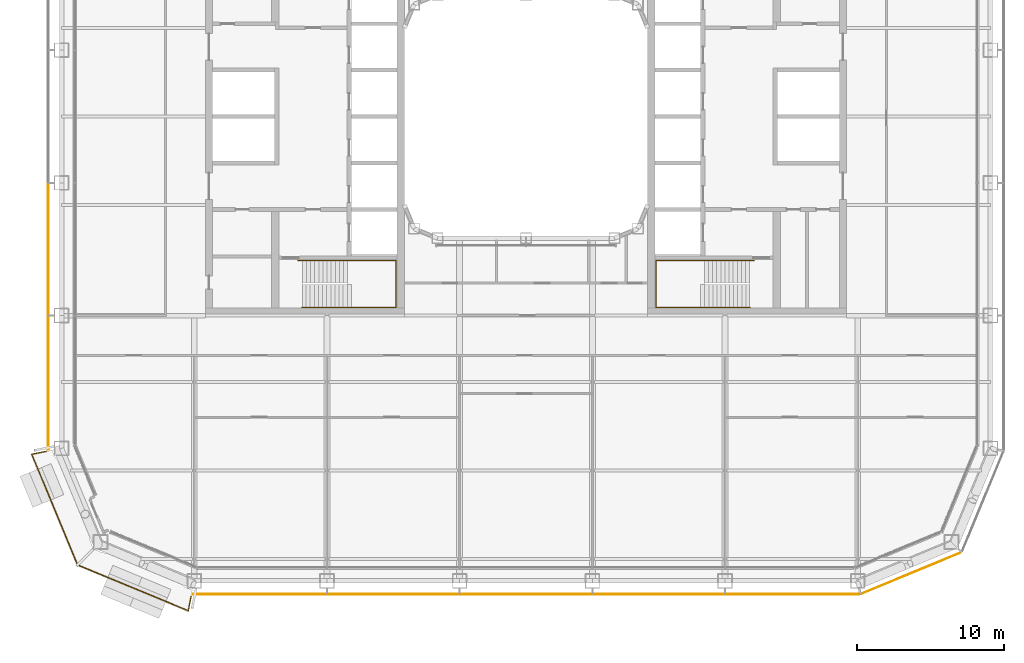
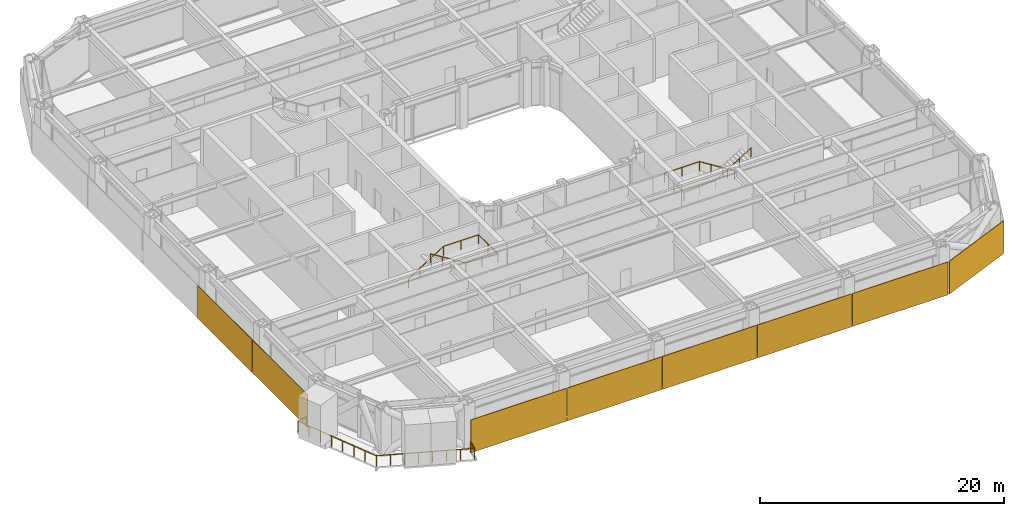
# One storey, part 23 of 27: 8 coverings, 3 railings.
"""IFC4 building model written with IfcOpenShell, lengths in metres."""

from ifc_helpers import new_model, si_unit, direction, frame, origin, origin_2d, place, context, subcontext, project, spatial, rectangle, circle, extrude, material, layer, layer_set, type_object, element, save


model = new_model("IFC4")

# Units and contexts
model_context = context("Model", 3, precision=1e-05, world=origin(), true_north=direction((0.0, 1.0)))
body_context = subcontext(model_context, "Body", "Model", "MODEL_VIEW")
ifc_project = project(units=[si_unit("LENGTHUNIT", "METRE"), si_unit("AREAUNIT", "SQUARE_METRE"), si_unit("VOLUMEUNIT", "CUBIC_METRE"), si_unit("PLANEANGLEUNIT", "RADIAN"), si_unit("MASSUNIT", "GRAM", prefix="KILO")], contexts=[model_context])

# Site, building, storey
site_placement = place(None, origin())
site = spatial("IfcSite", under=ifc_project, at=site_placement, CompositionType="ELEMENT")
building_placement = place(site_placement, origin())
building = spatial("IfcBuilding", under=site, at=building_placement, Name="Siwar Civic Tower", CompositionType="ELEMENT")
storey_placement = place(building_placement, frame((0.0, 0.0, 71.699951171875)))
storey = spatial("IfcBuildingStorey", under=building, at=storey_placement, Name="L15", CompositionType="ELEMENT", Elevation=71.699951171875)

# Railings
ifc_material_1 = material(Name="Stainless steel", Category="steel")
railing_type_1 = type_object("IfcRailingType", Name="CORE-STAIR-HANDRAIL", PredefinedType="HANDRAIL", material=ifc_material_1)
railing_1_placement = place(storey_placement, frame((-15.449951171875, -9.758056640625, 0.173095703125)))
element("IfcRailing", 1, at=railing_1_placement, inside=storey, type_object=railing_type_1, Name="Stair handrail ST2", PredefinedType="HANDRAIL", context=body_context, shape_type="SweptSolid", body=[
    extrude(circle(Radius=0.02001953125, at=origin_2d()), frame((0.0, 0.0, 0.8798828125), z_axis=(0.847063342986, 0.0, 0.531491950051), x_axis=(0.0, 1.0, 0.0)), (0.0, 0.0, 1.0), 3.90771484375),
    extrude(circle(Radius=0.02001953125, at=origin_2d()), frame((3.31005859375, 0.0, 2.956787109375), z_axis=(1.0, 0.0, 0.0), x_axis=(0.0, 1.0, 0.0)), (0.0, 0.0, 1.0), 3.331787109375),
    extrude(circle(Radius=0.02001953125, at=origin_2d()), frame((6.641845703125, 0.0, 2.956787109375), z_axis=(0.0, -1.0, 0.0), x_axis=(1.0, 0.0, 0.0)), (0.0, 0.0, 1.0), 3.183837890625),
    extrude(circle(Radius=0.02001953125, at=origin_2d()), frame((6.641845703125, -3.183837890625, 2.956787109375), z_axis=(-0.99837434197, 0.0, 0.056997134106), x_axis=(0.0, -1.0, 0.0)), (0.0, 0.0, 1.0), 3.036865234375),
    extrude(circle(Radius=0.02001953125, at=origin_2d()), frame((3.60986328125, -3.183837890625, 3.1298828125), z_axis=(-0.850606129759, 0.0, 0.525803396734), x_axis=(0.0, -1.0, 0.0)), (0.0, 0.0, 1.0), 3.949951171875),
    extrude(circle(Radius=0.02001953125, at=origin_2d()), origin(), (0.0, 0.0, 1.0), 0.85986328125),
    extrude(circle(Radius=0.02001953125, at=origin_2d()), frame((1.103271484375, 0.0, 0.6923828125)), (0.0, 0.0, 1.0), 0.85986328125),
    extrude(circle(Radius=0.02001953125, at=origin_2d()), frame((2.206787109375, 0.0, 1.384521484375)), (0.0, 0.0, 1.0), 0.85986328125),
    extrude(circle(Radius=0.02001953125, at=origin_2d()), frame((3.31005859375, 0.0, 2.076904296875)), (0.0, 0.0, 1.0), 0.85986328125),
    extrude(circle(Radius=0.02001953125, at=origin_2d()), frame((4.97607421875, 0.0, 2.076904296875)), (0.0, 0.0, 1.0), 0.85986328125),
    extrude(circle(Radius=0.02001953125, at=origin_2d()), frame((6.641845703125, 0.0, 2.076904296875)), (0.0, 0.0, 1.0), 0.85986328125),
    extrude(circle(Radius=0.02001953125, at=origin_2d()), frame((6.641845703125, -1.591796875, 2.076904296875)), (0.0, 0.0, 1.0), 0.85986328125),
    extrude(circle(Radius=0.02001953125, at=origin_2d()), frame((6.641845703125, -3.183837890625, 2.076904296875)), (0.0, 0.0, 1.0), 0.85986328125),
    extrude(circle(Radius=0.02001953125, at=origin_2d()), frame((5.1259765625, -3.183837890625, 2.16357421875)), (0.0, 0.0, 1.0), 0.85986328125),
    extrude(circle(Radius=0.02001953125, at=origin_2d()), frame((3.60986328125, -3.183837890625, 2.25)), (0.0, 0.0, 1.0), 0.85986328125),
    extrude(circle(Radius=0.02001953125, at=origin_2d()), frame((2.489990234375, -3.183837890625, 2.9423828125)), (0.0, 0.0, 1.0), 0.85986328125),
    extrude(circle(Radius=0.02001953125, at=origin_2d()), frame((1.369873046875, -3.183837890625, 3.634521484375)), (0.0, 0.0, 1.0), 0.85986328125),
    extrude(circle(Radius=0.02001953125, at=origin_2d()), frame((0.25, -3.183837890625, 4.326904296875)), (0.0, 0.0, 1.0), 0.85986328125),
])
railing_2_placement = place(storey_placement, frame((15.449951171875, -9.758056640625, 0.173095703125)))
element("IfcRailing", 2, at=railing_2_placement, inside=storey, type_object=railing_type_1, Name="Stair handrail ST4", PredefinedType="HANDRAIL", context=body_context, shape_type="SweptSolid", body=[
    extrude(circle(Radius=0.02001953125, at=origin_2d()), frame((0.0, 0.0, 0.8798828125), z_axis=(-0.847063342986, 0.0, 0.531491950051), x_axis=(0.0, -1.0, 0.0)), (0.0, 0.0, 1.0), 3.90771484375),
    extrude(circle(Radius=0.02001953125, at=origin_2d()), frame((-3.31005859375, 0.0, 2.956787109375), z_axis=(-1.0, 0.0, 0.0), x_axis=(0.0, -1.0, 0.0)), (0.0, 0.0, 1.0), 3.331787109375),
    extrude(circle(Radius=0.02001953125, at=origin_2d()), frame((-6.641845703125, 0.0, 2.956787109375), z_axis=(0.0, -1.0, 0.0), x_axis=(1.0, 0.0, 0.0)), (0.0, 0.0, 1.0), 3.183837890625),
    extrude(circle(Radius=0.02001953125, at=origin_2d()), frame((-6.641845703125, -3.183837890625, 2.956787109375), z_axis=(0.99837434197, 0.0, 0.056997134106), x_axis=(0.0, 1.0, 0.0)), (0.0, 0.0, 1.0), 3.036865234375),
    extrude(circle(Radius=0.02001953125, at=origin_2d()), frame((-3.60986328125, -3.183837890625, 3.1298828125), z_axis=(0.850606129759, 0.0, 0.525803396734), x_axis=(0.0, 1.0, 0.0)), (0.0, 0.0, 1.0), 3.949951171875),
    extrude(circle(Radius=0.02001953125, at=origin_2d()), origin(), (0.0, 0.0, 1.0), 0.85986328125),
    extrude(circle(Radius=0.02001953125, at=origin_2d()), frame((-1.103271484375, 0.0, 0.6923828125)), (0.0, 0.0, 1.0), 0.85986328125),
    extrude(circle(Radius=0.02001953125, at=origin_2d()), frame((-2.206787109375, 0.0, 1.384521484375)), (0.0, 0.0, 1.0), 0.85986328125),
    extrude(circle(Radius=0.02001953125, at=origin_2d()), frame((-3.31005859375, 0.0, 2.076904296875)), (0.0, 0.0, 1.0), 0.85986328125),
    extrude(circle(Radius=0.02001953125, at=origin_2d()), frame((-4.97607421875, 0.0, 2.076904296875)), (0.0, 0.0, 1.0), 0.85986328125),
    extrude(circle(Radius=0.02001953125, at=origin_2d()), frame((-6.641845703125, 0.0, 2.076904296875)), (0.0, 0.0, 1.0), 0.85986328125),
    extrude(circle(Radius=0.02001953125, at=origin_2d()), frame((-6.641845703125, -1.591796875, 2.076904296875)), (0.0, 0.0, 1.0), 0.85986328125),
    extrude(circle(Radius=0.02001953125, at=origin_2d()), frame((-6.641845703125, -3.183837890625, 2.076904296875)), (0.0, 0.0, 1.0), 0.85986328125),
    extrude(circle(Radius=0.02001953125, at=origin_2d()), frame((-5.1259765625, -3.183837890625, 2.16357421875)), (0.0, 0.0, 1.0), 0.85986328125),
    extrude(circle(Radius=0.02001953125, at=origin_2d()), frame((-3.60986328125, -3.183837890625, 2.25)), (0.0, 0.0, 1.0), 0.85986328125),
    extrude(circle(Radius=0.02001953125, at=origin_2d()), frame((-2.489990234375, -3.183837890625, 2.9423828125)), (0.0, 0.0, 1.0), 0.85986328125),
    extrude(circle(Radius=0.02001953125, at=origin_2d()), frame((-1.369873046875, -3.183837890625, 3.634521484375)), (0.0, 0.0, 1.0), 0.85986328125),
    extrude(circle(Radius=0.02001953125, at=origin_2d()), frame((-0.25, -3.183837890625, 4.326904296875)), (0.0, 0.0, 1.0), 0.85986328125),
])
ifc_material_2 = material(Name="Stainless steel 316", Category="steel")
railing_type_2 = type_object("IfcRailingType", Name="ENV-GUARD", PredefinedType="GUARDRAIL", material=ifc_material_2)
railing_3_placement = place(storey_placement, frame((-32.547119140625, -22.708251953125, 0.0)))
element("IfcRailing", 3, at=railing_3_placement, inside=storey, type_object=railing_type_2, Name="Balcony guard SW", PredefinedType="GUARDRAIL", context=body_context, shape_type="SweptSolid", body=[
    extrude(circle(Radius=0.02392578125, at=origin_2d()), frame((0.0, 0.0, 1.076171875), z_axis=(-0.980778661911, -0.195123592472, 0.0), x_axis=(0.195123592472, -0.980778661911, 0.0)), (0.0, 0.0, 1.0), 0.993408203125),
    extrude(circle(Radius=0.02392578125, at=origin_2d()), frame((-0.974365234375, -0.19384765625, 1.076171875), z_axis=(0.382176720888, -0.924089256518, 0.0), x_axis=(0.924089256518, 0.382176720888, 0.0)), (0.0, 0.0, 1.0), 8.129638671875),
    extrude(circle(Radius=0.02392578125, at=origin_2d()), frame((2.132568359375, -7.706298828125, 1.076171875), z_axis=(0.924089256518, -0.382176720888, 0.0), x_axis=(0.382176720888, 0.924089256518, 0.0)), (0.0, 0.0, 1.0), 8.129638671875),
    extrude(circle(Radius=0.02392578125, at=origin_2d()), frame((9.64501953125, -10.813232421875, 1.076171875), z_axis=(0.195123592472, 0.980778661911, 0.0), x_axis=(-0.980778661911, 0.195123592472, 0.0)), (0.0, 0.0, 1.0), 0.993408203125),
    extrude(circle(Radius=0.02099609375, at=origin_2d()), origin(), (0.0, 0.0, 1.0), 1.052001953125),
    extrude(circle(Radius=0.02099609375, at=origin_2d()), frame((-0.974365234375, -0.19384765625, 0.0)), (0.0, 0.0, 1.0), 1.052001953125),
    extrude(circle(Radius=0.02099609375, at=origin_2d()), frame((-0.530517578125, -1.26708984375, 0.0)), (0.0, 0.0, 1.0), 1.052001953125),
    extrude(circle(Radius=0.02099609375, at=origin_2d()), frame((-0.086669921875, -2.34033203125, 0.0)), (0.0, 0.0, 1.0), 1.052001953125),
    extrude(circle(Radius=0.02099609375, at=origin_2d()), frame((0.357177734375, -3.41357421875, 0.0)), (0.0, 0.0, 1.0), 1.052001953125),
    extrude(circle(Radius=0.02099609375, at=origin_2d()), frame((0.801025390625, -4.486572265625, 0.0)), (0.0, 0.0, 1.0), 1.052001953125),
    extrude(circle(Radius=0.02099609375, at=origin_2d()), frame((1.244873046875, -5.559814453125, 0.0)), (0.0, 0.0, 1.0), 1.052001953125),
    extrude(circle(Radius=0.02099609375, at=origin_2d()), frame((1.688720703125, -6.633056640625, 0.0)), (0.0, 0.0, 1.0), 1.052001953125),
    extrude(circle(Radius=0.02099609375, at=origin_2d()), frame((2.132568359375, -7.706298828125, 0.0)), (0.0, 0.0, 1.0), 1.052001953125),
    extrude(circle(Radius=0.02099609375, at=origin_2d()), frame((3.205810546875, -8.150146484375, 0.0)), (0.0, 0.0, 1.0), 1.052001953125),
    extrude(circle(Radius=0.02099609375, at=origin_2d()), frame((4.279052734375, -8.593994140625, 0.0)), (0.0, 0.0, 1.0), 1.052001953125),
    extrude(circle(Radius=0.02099609375, at=origin_2d()), frame((5.352294921875, -9.037841796875, 0.0)), (0.0, 0.0, 1.0), 1.052001953125),
    extrude(circle(Radius=0.02099609375, at=origin_2d()), frame((6.42529296875, -9.481689453125, 0.0)), (0.0, 0.0, 1.0), 1.052001953125),
    extrude(circle(Radius=0.02099609375, at=origin_2d()), frame((7.49853515625, -9.925537109375, 0.0)), (0.0, 0.0, 1.0), 1.052001953125),
    extrude(circle(Radius=0.02099609375, at=origin_2d()), frame((8.57177734375, -10.369384765625, 0.0)), (0.0, 0.0, 1.0), 1.052001953125),
    extrude(circle(Radius=0.02099609375, at=origin_2d()), frame((9.64501953125, -10.813232421875, 0.0)), (0.0, 0.0, 1.0), 1.052001953125),
    extrude(circle(Radius=0.02099609375, at=origin_2d()), frame((9.8388671875, -9.8388671875, 0.0)), (0.0, 0.0, 1.0), 1.052001953125),
])

# Coverings
ifc_material_3 = material(Name="Perforated aluminium cassette, pale metal", Category="aluminium")
ifc_layer_1 = layer(ifc_material_3, 0.050048828125)
ifc_layer_set_1 = layer_set([ifc_layer_1], Name="Perforated aluminium cassette, pale metal")
covering_type_1 = type_object("IfcCoveringType", Name="ENV-OUTER SKIN OS-3", PredefinedType="CLADDING", material=ifc_layer_set_1)
covering_1_placement = place(storey_placement, frame((26.115966796875, -30.976318359375, -0.14990234375), z_axis=(0.0, 0.0, 1.0), x_axis=(0.923879532511, 0.382683432365, 0.0)))
element("IfcCovering", 4, at=covering_1_placement, inside=storey, type_object=covering_type_1, Name="OUTER SKIN OS-3 SE1 1", PredefinedType="CLADDING", context=body_context, shape_type="SweptSolid", body=[
    extrude(rectangle(XDim=7.300048828125, YDim=0.050048828125, at=origin_2d()), origin(), (0.0, 0.0, 1.0), 3.300048828125),
])
covering_2_placement = place(storey_placement, frame((-32.39990234375, -9.0, -0.14990234375), z_axis=(0.0, 0.0, 1.0), x_axis=(0.0, -1.0, 0.0)))
element("IfcCovering", 5, at=covering_2_placement, inside=storey, type_object=covering_type_1, Name="OUTER SKIN OS-3 W 4", PredefinedType="CLADDING", context=body_context, shape_type="SweptSolid", body=[
    extrude(rectangle(XDim=8.89990234375, YDim=0.050048828125, at=origin_2d()), origin(), (0.0, 0.0, 1.0), 3.300048828125),
])
covering_3_placement = place(storey_placement, frame((-32.39990234375, -18.07958984375, -0.14990234375), z_axis=(0.0, 0.0, 1.0), x_axis=(0.0, -1.0, 0.0)))
element("IfcCovering", 6, at=covering_3_placement, inside=storey, type_object=covering_type_1, Name="OUTER SKIN OS-3 W 5", PredefinedType="CLADDING", context=body_context, shape_type="SweptSolid", body=[
    extrude(rectangle(XDim=9.05908203125, YDim=0.050048828125, at=origin_2d()), origin(), (0.0, 0.0, 1.0), 3.300048828125),
])
ifc_material_4 = material(Name="Perforated aluminium cassette, pale metal", Category="aluminium")
ifc_layer_2 = layer(ifc_material_4, 0.054931640625)
ifc_layer_set_2 = layer_set([ifc_layer_2], Name="Perforated aluminium cassette, pale metal")
covering_type_2 = type_object("IfcCoveringType", Name="ENV-OUTER SKIN OS-4", PredefinedType="CLADDING", material=ifc_layer_set_2)
covering_4_placement = place(storey_placement, frame((-18.07958984375, -32.39990234375, -0.14990234375), z_axis=(0.0, 0.0, 1.0), x_axis=(1.0, 0.0, 0.0)))
element("IfcCovering", 7, at=covering_4_placement, inside=storey, type_object=covering_type_2, Name="OUTER SKIN OS-4 S 1", PredefinedType="CLADDING", context=body_context, shape_type="SweptSolid", body=[
    extrude(rectangle(XDim=9.05908203125, YDim=0.054931640625, at=origin_2d()), origin(), (0.0, 0.0, 1.0), 3.300048828125),
])
for number, where, z_axis, x_axis, name in (
    (8, (-9.0, -32.39990234375, -0.14990234375), (0.0, 0.0, 1.0), (1.0, 0.0, 0.0), "OUTER SKIN OS-4 S 2"),
    (9, (0.0, -32.39990234375, -0.14990234375), (0.0, 0.0, 1.0), (1.0, 0.0, 0.0), "OUTER SKIN OS-4 S 3"),
    (10, (9.0, -32.39990234375, -0.14990234375), (0.0, 0.0, 1.0), (1.0, 0.0, 0.0), "OUTER SKIN OS-4 S 4"),
):
    element("IfcCovering", number, at=place(storey_placement, frame(where, z_axis=z_axis, x_axis=x_axis)), inside=storey, type_object=covering_type_2, Name=name, PredefinedType="CLADDING", context=body_context, shape_type="SweptSolid", body=[
        extrude(rectangle(XDim=8.89990234375, YDim=0.054931640625, at=origin_2d()), origin(), (0.0, 0.0, 1.0), 3.300048828125),
    ])
covering_5_placement = place(storey_placement, frame((18.07958984375, -32.39990234375, -0.14990234375), z_axis=(0.0, 0.0, 1.0), x_axis=(1.0, 0.0, 0.0)))
element("IfcCovering", 11, at=covering_5_placement, inside=storey, type_object=covering_type_2, Name="OUTER SKIN OS-4 S 5", PredefinedType="CLADDING", context=body_context, shape_type="SweptSolid", body=[
    extrude(rectangle(XDim=9.05908203125, YDim=0.054931640625, at=origin_2d()), origin(), (0.0, 0.0, 1.0), 3.300048828125),
])

save(model, "model.ifc")
